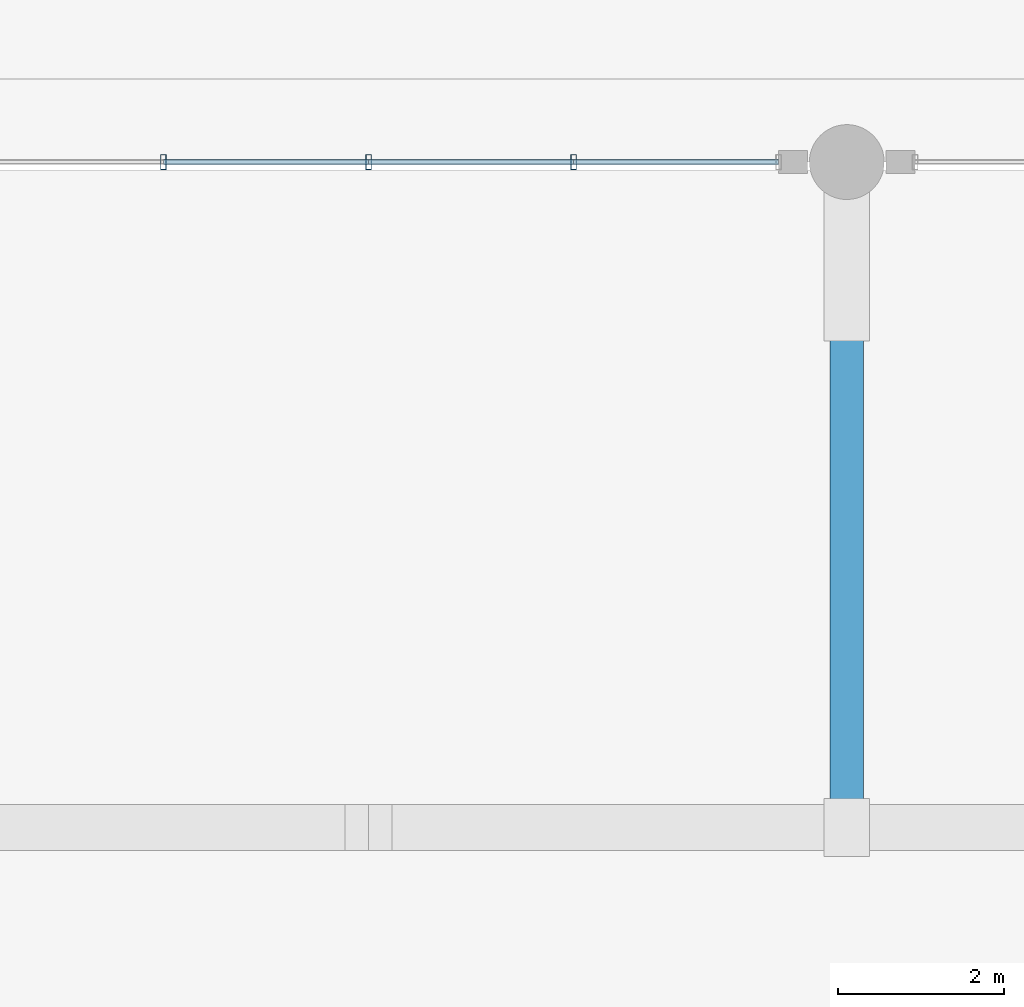
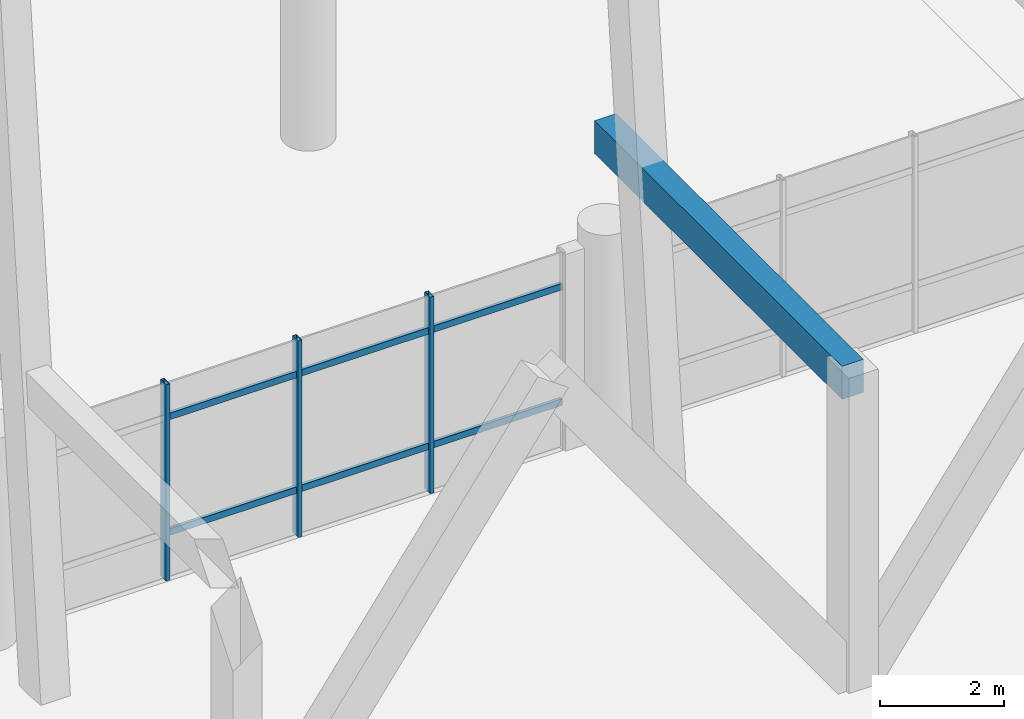
# One storey, part 20 of 109: 9 members, 1 beam, 1 element without a shape of its own.
"""IFC4 building model written with IfcOpenShell, lengths in metres."""

import ifcopenshell
import ifcopenshell.guid

model = None  # the IFC model being written
_history = None  # IfcOwnerHistory: only IFC2X3 demands one
_inside = {}  # id of a spatial element -> (the spatial element, [elements in it])
_under = {}  # id of a project, library or spatial element -> (it, [spatial elements below it])
_declared = {}  # id of a project -> (the project, [libraries it declares])
_typed = {}  # id of a type object -> (the type object, [elements of that type])
_made_of = {}  # id of a material, layer set ... -> (it, [elements and type objects made of it])


def new_model(schema):
    """Start an empty IFC model of exactly this schema.

    Asked for "IFC4X3", IfcOpenShell would pick the latest addendum, in which some entities
    have other attributes; the version numbers below select the first issue.
    IFC2X3 requires an IfcOwnerHistory on every rooted entity: one is made here for all.
    """
    global model, _history
    if schema == "IFC4X3":
        model = ifcopenshell.file(schema_version=(4, 3, 0, 0))
    else:
        model = ifcopenshell.file(schema=schema)
    _inside.clear()
    _under.clear()
    _declared.clear()
    _typed.clear()
    _made_of.clear()
    _history = None
    if model.schema == "IFC2X3":
        org = make("IfcOrganization", Name="unknown")
        user = make(
            "IfcPersonAndOrganization",
            ThePerson=make("IfcPerson", FamilyName="unknown"),
            TheOrganization=org,
        )
        app = make(
            "IfcApplication",
            ApplicationDeveloper=org,
            Version="unknown",
            ApplicationFullName="unknown",
            ApplicationIdentifier="unknown",
        )
        _history = make(
            "IfcOwnerHistory",
            OwningUser=user,
            OwningApplication=app,
            ChangeAction="ADDED",
            CreationDate=0,
        )
    return model


def make(cls, **values):
    """One entity of the class cls with the attributes given. An attribute that is None is left unset."""
    return model.create_entity(
        cls, **{name: value for name, value in values.items() if value is not None}
    )


def rooted(cls, **values):
    """An entity with a GlobalId (a new one), such as an element, a storey or a relation."""
    return make(cls, GlobalId=ifcopenshell.guid.new(), OwnerHistory=_history, **values)


def si_unit(unit_type, name, prefix=None):
    """IfcSIUnit, for example si_unit("LENGTHUNIT", "METRE", prefix="MILLI")."""
    return make("IfcSIUnit", UnitType=unit_type, Prefix=prefix, Name=name)


def assignment(units):
    """IfcUnitAssignment: the units of a project."""
    return None if units is None else make("IfcUnitAssignment", Units=units)


def point(xyz):
    """IfcCartesianPoint."""
    return None if xyz is None else make("IfcCartesianPoint", Coordinates=xyz)


def direction(xyz):
    """IfcDirection."""
    return None if xyz is None else make("IfcDirection", DirectionRatios=xyz)


def frame(location, z_axis=None, x_axis=None):
    """IfcAxis2Placement3D, a coordinate frame: its origin and axes. An axis left out is left unset."""
    return make(
        "IfcAxis2Placement3D",
        Location=point(location),
        Axis=direction(z_axis),
        RefDirection=direction(x_axis),
    )


def frame_2d(location, x_axis=None):
    """IfcAxis2Placement2D, a coordinate frame in the plane: its origin and x axis."""
    return make(
        "IfcAxis2Placement2D", Location=point(location), RefDirection=direction(x_axis)
    )


def origin():
    """The frame at (0, 0, 0) with its axes left unset."""
    return frame((0.0, 0.0, 0.0))


def origin_2d():
    """The frame at (0, 0) in the plane with its x axis left unset."""
    return frame_2d((0.0, 0.0))


def place(relative_to, where):
    """IfcLocalPlacement: puts the frame where relative to a parent placement (None: the world)."""
    return make(
        "IfcLocalPlacement", PlacementRelTo=relative_to, RelativePlacement=where
    )


def context(
    kind, dimensions, precision=None, world=None, true_north=None, identifier=None
):
    """IfcGeometricRepresentationContext, for example the 3D "Model" context."""
    return make(
        "IfcGeometricRepresentationContext",
        ContextIdentifier=identifier,
        ContextType=kind,
        CoordinateSpaceDimension=dimensions,
        Precision=precision,
        WorldCoordinateSystem=world,
        TrueNorth=true_north,
    )


def subcontext(parent, identifier, kind, view, scale=None):
    """IfcGeometricRepresentationSubContext, for example "Body" below "Model"."""
    return make(
        "IfcGeometricRepresentationSubContext",
        ContextIdentifier=identifier,
        ContextType=kind,
        ParentContext=parent,
        TargetScale=scale,
        TargetView=view,
    )


def project(units=None, contexts=None):
    """IfcProject with its units and contexts."""
    return rooted(
        "IfcProject",
        Name="project",
        RepresentationContexts=contexts,
        UnitsInContext=assignment(units),
    )


def spatial(cls, under=None, at=None, **own):
    """A site, building, storey or space (cls), placed at a placement, below another one or the project."""
    s = rooted(cls, ObjectPlacement=at, **own)
    if under is not None:
        _under.setdefault(under.id(), (under, []))[1].append(s)
    return s


def profile(cls, at=None, kind="AREA", **sizes):
    """A parametric profile (cls). Its sizes go by their IFC names, for example OverallWidth=200.0."""
    return make(cls, ProfileType=kind, Position=at, **sizes)


def rectangle(**sizes):
    """IfcRectangleProfileDef."""
    return profile("IfcRectangleProfileDef", **sizes)


def hollow_rectangle(**sizes):
    """IfcRectangleHollowProfileDef."""
    return profile("IfcRectangleHollowProfileDef", **sizes)


def extrude(swept, where, along, depth):
    """IfcExtrudedAreaSolid: the profile swept, set in the frame where, extruded along a direction by depth."""
    return make(
        "IfcExtrudedAreaSolid",
        SweptArea=swept,
        Position=where,
        ExtrudedDirection=direction(along),
        Depth=depth,
    )


def shape(context_of_items, identifier, shape_type, items):
    """IfcShapeRepresentation: the items that make up one representation, for example the "Body"."""
    return make(
        "IfcShapeRepresentation",
        ContextOfItems=context_of_items,
        RepresentationIdentifier=identifier,
        RepresentationType=shape_type,
        Items=items,
    )


def material(Name=None, Category=None):
    """IfcMaterial."""
    return make("IfcMaterial", Name=Name, Category=Category)


def material_profile(
    of_material, cross_section, Name=None, Category=None, Priority=None
):
    """IfcMaterialProfile: a cross section and its material."""
    return make(
        "IfcMaterialProfile",
        Name=Name,
        Material=of_material,
        Profile=cross_section,
        Priority=Priority,
        Category=Category,
    )


def profile_set(profiles, Name=None, composite=None):
    """IfcMaterialProfileSet."""
    return make(
        "IfcMaterialProfileSet",
        Name=Name,
        MaterialProfiles=profiles,
        CompositeProfile=composite,
    )


def made_of(thing, what):
    """Note that an element or type object is made of a material, layer set ...; save() writes the relation."""
    if what is not None:
        _made_of.setdefault(what.id(), (what, []))[1].append(thing)
    return thing


def type_object(cls, material=None, **own):
    """A type object (cls), such as IfcWallType, which elements share."""
    return made_of(rooted(cls, **own), material)


def element(
    cls,
    number,
    at=None,
    inside=None,
    cuts=None,
    type_object=None,
    material=None,
    context=None,
    identifier="Body",
    shape_type=None,
    held_by="IfcProductDefinitionShape",
    body=None,
    shapes=None,
    **own,
):
    """One element of the class cls, such as IfcWall. Its Tag is "e" and its number.

    at: its placement. inside: the storey or other place that contains it. cuts: it is an
    opening in that element (IfcRelVoidsElement). A single representation is given by context,
    identifier, shape_type and body (its items); several are given by shapes. held_by: the class
    of the entity that holds the representations. save() writes the other relations.
    """
    e = rooted(cls, Tag="e%d" % number, ObjectPlacement=at, **own)
    if body is not None:
        shapes = [shape(context, identifier, shape_type, body)]
    if shapes is not None:
        e.Representation = make(held_by, Representations=shapes)
    if inside is not None:
        _inside.setdefault(inside.id(), (inside, []))[1].append(e)
    if cuts is not None:
        rooted(
            "IfcRelVoidsElement", RelatingBuildingElement=cuts, RelatedOpeningElement=e
        )
    if type_object is not None:
        _typed.setdefault(type_object.id(), (type_object, []))[1].append(e)
    return made_of(e, material)


def aggregate(whole, parts):
    """IfcRelAggregates: a whole, such as a stair, and the parts it consists of."""
    return rooted("IfcRelAggregates", RelatingObject=whole, RelatedObjects=parts)


def save(model, path):
    """Write the relations noted so far, then the file.

    IfcRelAggregates (storeys below a building ...), IfcRelContainedInSpatialStructure (elements
    in a storey), IfcRelDefinesByType, IfcRelAssociatesMaterial and IfcRelDeclares: one each for
    every whole, place, type object, material and project.
    """
    for whole, parts in _under.values():
        aggregate(whole, parts)
    for where, things in _inside.values():
        rooted(
            "IfcRelContainedInSpatialStructure",
            RelatedElements=things,
            RelatingStructure=where,
        )
    for kind, things in _typed.values():
        rooted("IfcRelDefinesByType", RelatedObjects=things, RelatingType=kind)
    for what, things in _made_of.values():
        rooted("IfcRelAssociatesMaterial", RelatedObjects=things, RelatingMaterial=what)
    for by, libraries in _declared.values():
        rooted("IfcRelDeclares", RelatingContext=by, RelatedDefinitions=libraries)
    model.write(path)


model = new_model("IFC4")

# Units and contexts
model_context = context("Model", 3, precision=1e-05, world=origin(), true_north=direction((0.0, 1.0)))
body_context = subcontext(model_context, "Body", "Model", "MODEL_VIEW")
ifc_project = project(units=[si_unit("LENGTHUNIT", "METRE"), si_unit("AREAUNIT", "SQUARE_METRE"), si_unit("VOLUMEUNIT", "CUBIC_METRE"), si_unit("PLANEANGLEUNIT", "RADIAN"), si_unit("MASSUNIT", "GRAM", prefix="KILO")], contexts=[model_context])

# Site, building, storey
site_placement = place(None, origin())
site = spatial("IfcSite", under=ifc_project, at=site_placement, CompositionType="ELEMENT")
building_placement = place(site_placement, origin())
building = spatial("IfcBuilding", under=site, at=building_placement, Name="Ologun Quay Terminus", CompositionType="ELEMENT")
storey_placement = place(building_placement, origin())
storey = spatial("IfcBuildingStorey", under=building, at=storey_placement, Name="L00", CompositionType="ELEMENT", Elevation=0.0)

# Curtain wall, members
ifc_material_1 = material(Name="Aluminium 6063-T6", Category="aluminium")
curtain_wall_type = type_object("IfcCurtainWallType", Name="Forecourt Arcade Curtain Wall 10700x3750", PredefinedType="USERDEFINED", material=ifc_material_1)
curtain_wall_placement = place(storey_placement, origin())
curtain_wall = element("IfcCurtainWall", 1, at=curtain_wall_placement, inside=storey, type_object=curtain_wall_type, Name="CW-03 Curtain Wall CW-L00-005", ObjectType="UNITISED CURTAIN WALL", PredefinedType="USERDEFINED")
ifc_material_2 = material(Name="Aluminium 6063-T6", Category="aluminium")
ifc_material_profile_1 = material_profile(ifc_material_2, hollow_rectangle(XDim=0.070068359375, YDim=0.179931640625, WallThickness=0.0048828125, at=origin_2d()), Name="ALU 180x70x5")
ifc_profile_set_1 = profile_set([ifc_material_profile_1], Name="Aluminium 6063-T6")
member_type_1 = type_object("IfcMemberType", Name="Curtain Wall Heavy Mullion 180x70", PredefinedType="MULLION", material=ifc_profile_set_1)
member_1_placement = place(storey_placement, frame((95.284912109375, 8.0, 0.0), z_axis=(0.0, 0.0, 1.0), x_axis=(1.0, 0.0, 0.0)))
member_1 = element("IfcMember", 2, at=member_1_placement, type_object=member_type_1, Name="CW-L00-005 Mullion 2", PredefinedType="MULLION", context=body_context, shape_type="SweptSolid", body=[
    extrude(hollow_rectangle(XDim=0.070068359375, YDim=0.179931640625, WallThickness=0.0048828125, at=origin_2d()), origin(), (0.0, 0.0, 1.0), 3.8798828125),
])
member_2_placement = place(storey_placement, frame((97.75, 8.0, 0.0), z_axis=(0.0, 0.0, 1.0), x_axis=(1.0, 0.0, 0.0)))
member_2 = element("IfcMember", 3, at=member_2_placement, type_object=member_type_1, Name="CW-L00-005 Mullion 3", PredefinedType="MULLION", context=body_context, shape_type="SweptSolid", body=[
    extrude(hollow_rectangle(XDim=0.070068359375, YDim=0.179931640625, WallThickness=0.0048828125, at=origin_2d()), origin(), (0.0, 0.0, 1.0), 3.8798828125),
])
member_3_placement = place(storey_placement, frame((100.215087890625, 8.0, 0.0), z_axis=(0.0, 0.0, 1.0), x_axis=(1.0, 0.0, 0.0)))
member_3 = element("IfcMember", 4, at=member_3_placement, type_object=member_type_1, Name="CW-L00-005 Mullion 4", PredefinedType="MULLION", context=body_context, shape_type="SweptSolid", body=[
    extrude(hollow_rectangle(XDim=0.070068359375, YDim=0.179931640625, WallThickness=0.0048828125, at=origin_2d()), origin(), (0.0, 0.0, 1.0), 3.8798828125),
])
ifc_material_3 = material(Name="Aluminium 6063-T6", Category="aluminium")
ifc_material_profile_2 = material_profile(ifc_material_3, hollow_rectangle(XDim=0.06005859375, YDim=0.1298828125, WallThickness=0.00390625, at=origin_2d()), Name="ALU 130x60x4")
ifc_profile_set_2 = profile_set([ifc_material_profile_2], Name="Aluminium 6063-T6")
member_type_2 = type_object("IfcMemberType", Name="Curtain Wall Heavy Transom 130x60", PredefinedType="USERDEFINED", material=ifc_profile_set_2)
member_4_placement = place(storey_placement, frame((95.284912109375, 8.0, 0.89990234375), z_axis=(1.0, 0.0, 0.0), x_axis=(0.0, 1.0, 0.0)))
member_4 = element("IfcMember", 5, at=member_4_placement, type_object=member_type_2, Name="CW-L00-005 Transom B2-1", ObjectType="TRANSOM", PredefinedType="USERDEFINED", context=body_context, shape_type="SweptSolid", body=[
    extrude(hollow_rectangle(XDim=0.06005859375, YDim=0.1298828125, WallThickness=0.00390625, at=origin_2d()), origin(), (0.0, 0.0, 1.0), 2.465087890625),
])
member_5_placement = place(storey_placement, frame((95.284912109375, 8.0, 3.179931640625), z_axis=(1.0, 0.0, 0.0), x_axis=(0.0, 1.0, 0.0)))
member_5 = element("IfcMember", 6, at=member_5_placement, type_object=member_type_2, Name="CW-L00-005 Transom B2-2", ObjectType="TRANSOM", PredefinedType="USERDEFINED", context=body_context, shape_type="SweptSolid", body=[
    extrude(hollow_rectangle(XDim=0.06005859375, YDim=0.1298828125, WallThickness=0.00390625, at=origin_2d()), origin(), (0.0, 0.0, 1.0), 2.465087890625),
])
member_6_placement = place(storey_placement, frame((97.75, 8.0, 0.89990234375), z_axis=(1.0, 0.0, 0.0), x_axis=(0.0, 1.0, 0.0)))
member_6 = element("IfcMember", 7, at=member_6_placement, type_object=member_type_2, Name="CW-L00-005 Transom B3-1", ObjectType="TRANSOM", PredefinedType="USERDEFINED", context=body_context, shape_type="SweptSolid", body=[
    extrude(hollow_rectangle(XDim=0.06005859375, YDim=0.1298828125, WallThickness=0.00390625, at=origin_2d()), origin(), (0.0, 0.0, 1.0), 2.465087890625),
])
member_7_placement = place(storey_placement, frame((97.75, 8.0, 3.179931640625), z_axis=(1.0, 0.0, 0.0), x_axis=(0.0, 1.0, 0.0)))
member_7 = element("IfcMember", 8, at=member_7_placement, type_object=member_type_2, Name="CW-L00-005 Transom B3-2", ObjectType="TRANSOM", PredefinedType="USERDEFINED", context=body_context, shape_type="SweptSolid", body=[
    extrude(hollow_rectangle(XDim=0.06005859375, YDim=0.1298828125, WallThickness=0.00390625, at=origin_2d()), origin(), (0.0, 0.0, 1.0), 2.465087890625),
])
member_8_placement = place(storey_placement, frame((100.215087890625, 8.0, 0.89990234375), z_axis=(1.0, 0.0, 0.0), x_axis=(0.0, 1.0, 0.0)))
member_8 = element("IfcMember", 9, at=member_8_placement, type_object=member_type_2, Name="CW-L00-005 Transom B4-1", ObjectType="TRANSOM", PredefinedType="USERDEFINED", context=body_context, shape_type="SweptSolid", body=[
    extrude(hollow_rectangle(XDim=0.06005859375, YDim=0.1298828125, WallThickness=0.00390625, at=origin_2d()), origin(), (0.0, 0.0, 1.0), 2.46484375),
])
member_9_placement = place(storey_placement, frame((100.215087890625, 8.0, 3.179931640625), z_axis=(1.0, 0.0, 0.0), x_axis=(0.0, 1.0, 0.0)))
member_9 = element("IfcMember", 10, at=member_9_placement, type_object=member_type_2, Name="CW-L00-005 Transom B4-2", ObjectType="TRANSOM", PredefinedType="USERDEFINED", context=body_context, shape_type="SweptSolid", body=[
    extrude(hollow_rectangle(XDim=0.06005859375, YDim=0.1298828125, WallThickness=0.00390625, at=origin_2d()), origin(), (0.0, 0.0, 1.0), 2.46484375),
])
aggregate(curtain_wall, [member_1, member_2, member_3, member_4, member_5, member_6, member_7, member_8, member_9])

# Beam
ifc_material_4 = material(Name="Concrete C40/50", Category="concrete")
ifc_material_profile_3 = material_profile(ifc_material_4, rectangle(XDim=0.39990234375, YDim=0.64990234375, at=origin_2d()), Name="RC 400x650")
ifc_profile_set_3 = profile_set([ifc_material_profile_3], Name="Concrete C40/50")
beam_type = type_object("IfcBeamType", Name="Station Secondary Joist 400x650", PredefinedType="JOIST", material=ifc_profile_set_3)
beam_placement = place(storey_placement, frame((103.5, 0.0, 5.89501953125), z_axis=(0.0, 1.0, 0.0), x_axis=(-1.0, 0.0, 0.0)))
element("IfcBeam", 11, at=beam_placement, inside=storey, type_object=beam_type, Name="J1 Beam 10/A L00", PredefinedType="JOIST", context=body_context, shape_type="SweptSolid", body=[
    extrude(rectangle(XDim=0.39990234375, YDim=0.64990234375, at=origin_2d()), origin(), (0.0, 0.0, 1.0), 8.0),
])

save(model, "model.ifc")
